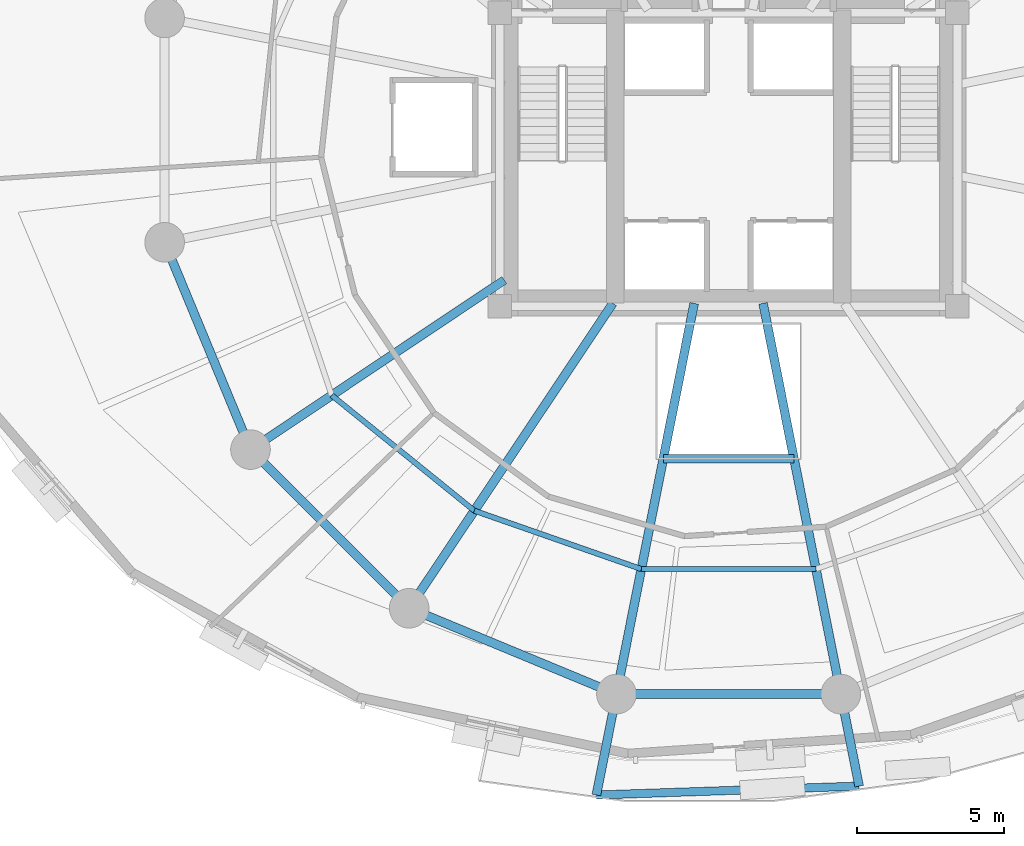
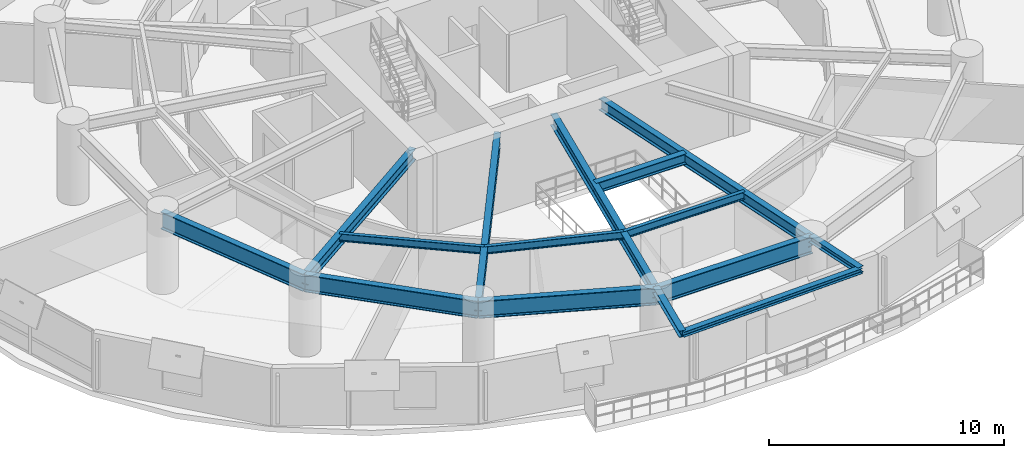
# One storey, part 3 of 16: 15 beams.
"""IFC4 building model written with IfcOpenShell, lengths in metres."""

from ifc_helpers import new_model, si_unit, direction, frame, origin, origin_2d, place, context, subcontext, project, spatial, i_section, extrude, material, material_profile, profile_set, type_object, element, save


model = new_model("IFC4")

# Units and contexts
model_context = context("Model", 3, precision=1e-05, world=origin(), true_north=direction((0.0, 1.0)))
body_context = subcontext(model_context, "Body", "Model", "MODEL_VIEW")
ifc_project = project(units=[si_unit("LENGTHUNIT", "METRE"), si_unit("AREAUNIT", "SQUARE_METRE"), si_unit("VOLUMEUNIT", "CUBIC_METRE"), si_unit("PLANEANGLEUNIT", "RADIAN"), si_unit("MASSUNIT", "GRAM", prefix="KILO"), si_unit("THERMODYNAMICTEMPERATUREUNIT", "KELVIN"), si_unit("POWERUNIT", "WATT")], contexts=[model_context])

# Site, building, storey
site_placement = place(None, origin())
site = spatial("IfcSite", under=ifc_project, at=site_placement, CompositionType="ELEMENT")
building_placement = place(site_placement, origin())
building = spatial("IfcBuilding", under=site, at=building_placement, Name="Ocrelia Relay Tower", CompositionType="ELEMENT")
storey_placement = place(building_placement, frame((0.0, 0.0, 46.800048828125)))
storey = spatial("IfcBuildingStorey", under=building, at=storey_placement, Name="L10", CompositionType="ELEMENT", Elevation=46.800048828125)

# Beams
ifc_material = material(Name="Steel S355", Category="steel")
ifc_material_profile_1 = material_profile(ifc_material, i_section(OverallWidth=0.280029296875, OverallDepth=0.27001953125, WebThickness=0.008056640625, FlangeThickness=0.012939453125, FilletRadius=0.02392578125, at=origin_2d()), Name="HEA 280")
ifc_profile_set_1 = profile_set([ifc_material_profile_1], Name="Steel S355")
beam_type_1 = type_object("IfcBeamType", Name="BM-HEA280", PredefinedType="BEAM", material=ifc_profile_set_1)
beam_1_placement = place(storey_placement, frame((29.4921875, 3.33740234375, 3.784912109375), z_axis=(0.999422643132, 0.033976173932, 0.0), x_axis=(-0.033976173932, 0.999422643132, 0.0)))
element("IfcBeam", 1, at=beam_1_placement, inside=storey, type_object=beam_type_1, Name="L11 Balcony Edge Trimmer Beam B2", PredefinedType="BEAM", context=body_context, shape_type="SweptSolid", body=[
    extrude(i_section(OverallWidth=0.280029296875, OverallDepth=0.27001953125, WebThickness=0.008056640625, FlangeThickness=0.012939453125, FilletRadius=0.02392578125, at=origin_2d()), origin(), (0.0, 0.0, 1.0), 8.96044921875),
])
ifc_material_profile_2 = material_profile(ifc_material, i_section(OverallWidth=0.300048828125, OverallDepth=0.330078125, WebThickness=0.009521484375, FlangeThickness=0.0166015625, FilletRadius=0.027099609375, at=origin_2d()), Name="HEA 340")
ifc_profile_set_2 = profile_set([ifc_material_profile_2], Name="Steel S355")
beam_type_2 = type_object("IfcBeamType", Name="BM-HEA340", PredefinedType="BEAM", material=ifc_profile_set_2)
beam_2_placement = place(storey_placement, frame((30.17626953125, 6.776611328125, 3.7548828125), z_axis=(-0.195085063293, -0.980786326414, 0.0), x_axis=(0.980786326414, -0.195085063293, 0.0)))
element("IfcBeam", 2, at=beam_2_placement, inside=storey, type_object=beam_type_2, Name="L11 Balcony Cantilever Beam B2-1", PredefinedType="BEAM", context=body_context, shape_type="SweptSolid", body=[
    extrude(i_section(OverallWidth=0.300048828125, OverallDepth=0.330078125, WebThickness=0.009521484375, FlangeThickness=0.0166015625, FilletRadius=0.027099609375, at=origin_2d()), origin(), (0.0, 0.0, 1.0), 3.506591796875),
])
beam_3_placement = place(storey_placement, frame((37.82373046875, 6.776611328125, 3.7548828125), z_axis=(0.195161241574, -0.980771170961, 0.0), x_axis=(0.980771170961, 0.195161241574, 0.0)))
element("IfcBeam", 3, at=beam_3_placement, inside=storey, type_object=beam_type_2, Name="L11 Balcony Cantilever Beam B2-2", PredefinedType="BEAM", context=body_context, shape_type="SweptSolid", body=[
    extrude(i_section(OverallWidth=0.300048828125, OverallDepth=0.330078125, WebThickness=0.009521484375, FlangeThickness=0.0166015625, FilletRadius=0.027099609375, at=origin_2d()), origin(), (0.0, 0.0, 1.0), 3.1962890625),
])
ifc_material_profile_3 = material_profile(ifc_material, i_section(OverallWidth=0.300048828125, OverallDepth=0.550048828125, WebThickness=0.014892578125, FlangeThickness=0.029052734375, FilletRadius=0.027099609375, at=origin_2d()), Name="HEB 550")
ifc_profile_set_3 = profile_set([ifc_material_profile_3], Name="Steel S355")
beam_type_3 = type_object("IfcBeamType", Name="BM-HEB550", PredefinedType="BEAM", material=ifc_profile_set_3)
beam_4_placement = place(storey_placement, frame((31.772216796875, 14.800048828125, 3.64501953125), z_axis=(1.0, 0.0, 0.0), x_axis=(0.0, 1.0, 0.0)))
element("IfcBeam", 4, at=beam_4_placement, inside=storey, type_object=beam_type_3, Name="L10 Atrium South Trimmer Beam", PredefinedType="BEAM", context=body_context, shape_type="SweptSolid", body=[
    extrude(i_section(OverallWidth=0.300048828125, OverallDepth=0.550048828125, WebThickness=0.014892578125, FlangeThickness=0.029052734375, FilletRadius=0.027099609375, at=origin_2d()), origin(), (0.0, 0.0, 1.0), 4.45556640625),
])
ifc_material_profile_4 = material_profile(ifc_material, i_section(OverallWidth=0.300048828125, OverallDepth=0.60009765625, WebThickness=0.015380859375, FlangeThickness=0.030029296875, FilletRadius=0.027099609375, at=origin_2d()), Name="HEB 600")
ifc_profile_set_4 = profile_set([ifc_material_profile_4], Name="Steel S355")
beam_type_4 = type_object("IfcBeamType", Name="BM-HEB600", PredefinedType="BEAM", material=ifc_profile_set_4)
beam_5_placement = place(storey_placement, frame((17.703125, 15.11083984375, 3.619873046875), z_axis=(0.83146868639, 0.555571618743, 0.0), x_axis=(-0.555571618743, 0.83146868639, 0.0)))
element("IfcBeam", 5, at=beam_5_placement, inside=storey, type_object=beam_type_4, Name="L10 Radial Floor Girder R10", PredefinedType="BEAM", context=body_context, shape_type="SweptSolid", body=[
    extrude(i_section(OverallWidth=0.300048828125, OverallDepth=0.60009765625, WebThickness=0.015380859375, FlangeThickness=0.030029296875, FilletRadius=0.027099609375, at=origin_2d()), origin(), (0.0, 0.0, 1.0), 10.405517578125),
])
beam_6_placement = place(storey_placement, frame((23.11083984375, 9.703125, 3.619873046875), z_axis=(0.555569912646, 0.831469826369, 0.0), x_axis=(-0.831469826369, 0.555569912646, 0.0)))
element("IfcBeam", 6, at=beam_6_placement, inside=storey, type_object=beam_type_4, Name="L10 Radial Floor Girder R11", PredefinedType="BEAM", context=body_context, shape_type="SweptSolid", body=[
    extrude(i_section(OverallWidth=0.300048828125, OverallDepth=0.60009765625, WebThickness=0.015380859375, FlangeThickness=0.030029296875, FilletRadius=0.027099609375, at=origin_2d()), origin(), (0.0, 0.0, 1.0), 12.498046875),
])
for number, where, z_axis, x_axis, name in (
    (7, (30.17626953125, 6.776611328125, 3.619873046875), (0.195089155229, 0.980785512491, 0.0), (-0.980785512491, 0.195089155229, 0.0), "L10 Radial Floor Girder R12"),
    (8, (37.82373046875, 6.776611328125, 3.619873046875), (-0.195089155229, 0.980785512491, 0.0), (-0.980785512491, -0.195089155229, 0.0), "L10 Radial Floor Girder R13"),
):
    element("IfcBeam", number, at=place(storey_placement, frame(where, z_axis=z_axis, x_axis=x_axis)), inside=storey, type_object=beam_type_4, Name=name, PredefinedType="BEAM", context=body_context, shape_type="SweptSolid", body=[
        extrude(i_section(OverallWidth=0.300048828125, OverallDepth=0.60009765625, WebThickness=0.015380859375, FlangeThickness=0.030029296875, FilletRadius=0.027099609375, at=origin_2d()), origin(), (0.0, 0.0, 1.0), 13.579345703125),
    ])
ifc_material_profile_5 = material_profile(ifc_material, i_section(OverallWidth=0.300048828125, OverallDepth=0.89990234375, WebThickness=0.0185546875, FlangeThickness=0.034912109375, FilletRadius=0.030029296875, at=origin_2d()), Name="HEB 900")
ifc_profile_set_5 = profile_set([ifc_material_profile_5], Name="Steel S355")
beam_type_5 = type_object("IfcBeamType", Name="BM-HEB900", PredefinedType="BEAM", material=ifc_profile_set_5)
beam_7_placement = place(storey_placement, frame((14.776611328125, 22.17626953125, 3.469970703125), z_axis=(0.382674154222, -0.923883375589, 0.0), x_axis=(0.923883375589, 0.382674154222, 0.0)))
element("IfcBeam", 9, at=beam_7_placement, inside=storey, type_object=beam_type_5, Name="L10 Perimeter Spandrel Beam S09", PredefinedType="BEAM", context=body_context, shape_type="SweptSolid", body=[
    extrude(i_section(OverallWidth=0.300048828125, OverallDepth=0.89990234375, WebThickness=0.0185546875, FlangeThickness=0.034912109375, FilletRadius=0.030029296875, at=origin_2d()), origin(), (0.0, 0.0, 1.0), 7.6474609375),
])
beam_8_placement = place(storey_placement, frame((17.703125, 15.11083984375, 3.469970703125), z_axis=(0.707106781187, -0.707106781187, 0.0), x_axis=(0.707106781187, 0.707106781187, 0.0)))
element("IfcBeam", 10, at=beam_8_placement, inside=storey, type_object=beam_type_5, Name="L10 Perimeter Spandrel Beam S10", PredefinedType="BEAM", context=body_context, shape_type="SweptSolid", body=[
    extrude(i_section(OverallWidth=0.300048828125, OverallDepth=0.89990234375, WebThickness=0.0185546875, FlangeThickness=0.034912109375, FilletRadius=0.030029296875, at=origin_2d()), origin(), (0.0, 0.0, 1.0), 7.647705078125),
])
for number, where, z_axis, x_axis, name in (
    (11, (23.11083984375, 9.703125, 3.469970703125), (0.923883375589, -0.382674154222, 0.0), (0.382674154222, 0.923883375589, 0.0), "L10 Perimeter Spandrel Beam S11"),
    (12, (30.17626953125, 6.776611328125, 3.469970703125), (1.0, 0.0, 0.0), (0.0, 1.0, 0.0), "L10 Perimeter Spandrel Beam S12"),
):
    element("IfcBeam", number, at=place(storey_placement, frame(where, z_axis=z_axis, x_axis=x_axis)), inside=storey, type_object=beam_type_5, Name=name, PredefinedType="BEAM", context=body_context, shape_type="SweptSolid", body=[
        extrude(i_section(OverallWidth=0.300048828125, OverallDepth=0.89990234375, WebThickness=0.0185546875, FlangeThickness=0.034912109375, FilletRadius=0.030029296875, at=origin_2d()), origin(), (0.0, 0.0, 1.0), 7.6474609375),
    ])
ifc_material_profile_6 = material_profile(ifc_material, i_section(OverallWidth=0.179931640625, OverallDepth=0.39990234375, WebThickness=0.008544921875, FlangeThickness=0.013427734375, FilletRadius=0.02099609375, at=origin_2d()), Name="IPE 400")
ifc_profile_set_6 = profile_set([ifc_material_profile_6], Name="Steel S355")
beam_type_6 = type_object("IfcBeamType", Name="BM-IPE400", PredefinedType="JOIST", material=ifc_profile_set_6)
beam_9_placement = place(storey_placement, frame((20.4716796875, 16.960693359375, 3.719970703125), z_axis=(0.77748215158, -0.628905003935, 0.0), x_axis=(0.628905003935, 0.77748215158, 0.0)))
element("IfcBeam", 13, at=beam_9_placement, inside=storey, type_object=beam_type_6, Name="L10 Secondary Floor Joist J10", PredefinedType="JOIST", context=body_context, shape_type="SweptSolid", body=[
    extrude(i_section(OverallWidth=0.179931640625, OverallDepth=0.39990234375, WebThickness=0.008544921875, FlangeThickness=0.013427734375, FilletRadius=0.02099609375, at=origin_2d()), origin(), (0.0, 0.0, 1.0), 6.25244140625),
])
beam_10_placement = place(storey_placement, frame((25.332763671875, 13.028564453125, 3.719970703125), z_axis=(0.943957429675, -0.330067221882, 0.0), x_axis=(0.330067221882, 0.943957429675, 0.0)))
element("IfcBeam", 14, at=beam_10_placement, inside=storey, type_object=beam_type_6, Name="L10 Secondary Floor Joist J11", PredefinedType="JOIST", context=body_context, shape_type="SweptSolid", body=[
    extrude(i_section(OverallWidth=0.179931640625, OverallDepth=0.39990234375, WebThickness=0.008544921875, FlangeThickness=0.013427734375, FilletRadius=0.02099609375, at=origin_2d()), origin(), (0.0, 0.0, 1.0), 6.029052734375),
])
beam_11_placement = place(storey_placement, frame((31.02392578125, 11.03857421875, 3.719970703125), z_axis=(1.0, 0.0, 0.0), x_axis=(0.0, 1.0, 0.0)))
element("IfcBeam", 15, at=beam_11_placement, inside=storey, type_object=beam_type_6, Name="L10 Secondary Floor Joist J12", PredefinedType="JOIST", context=body_context, shape_type="SweptSolid", body=[
    extrude(i_section(OverallWidth=0.179931640625, OverallDepth=0.39990234375, WebThickness=0.008544921875, FlangeThickness=0.013427734375, FilletRadius=0.02099609375, at=origin_2d()), origin(), (0.0, 0.0, 1.0), 5.9521484375),
])

save(model, "model.ifc")
